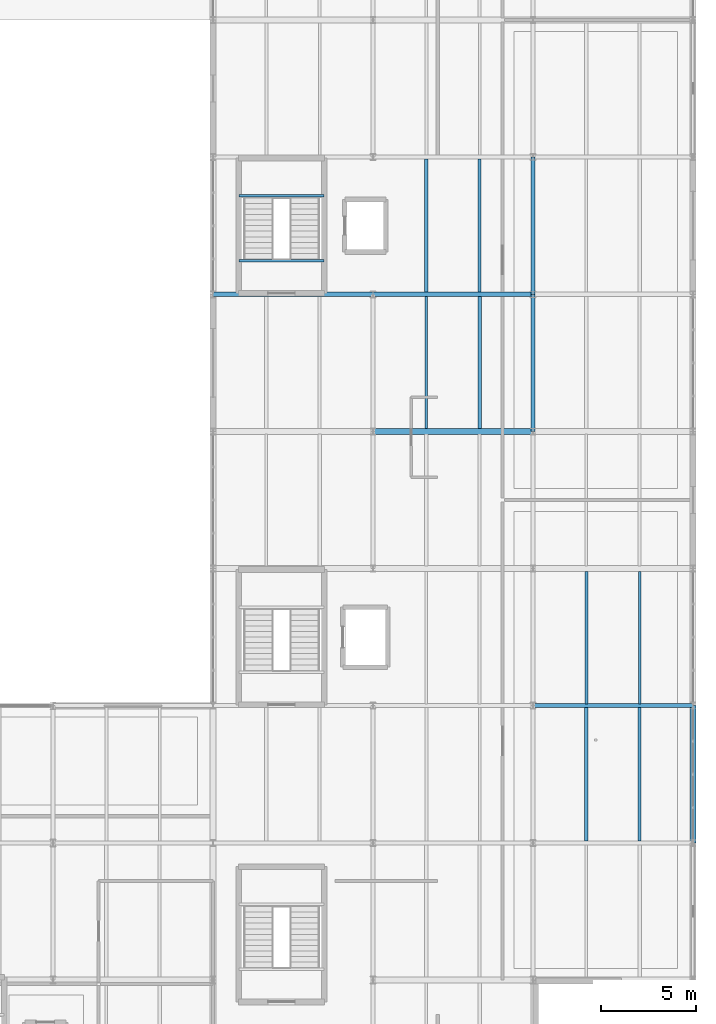
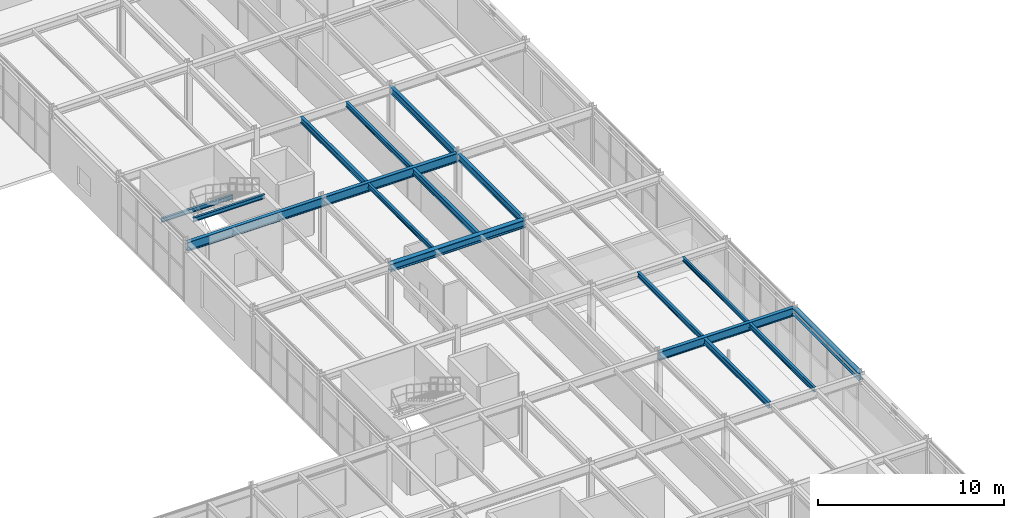
# One storey, part 38 of 73: 17 beams.
"""IFC4 building model written with IfcOpenShell, lengths in metres."""

import ifcopenshell
import ifcopenshell.guid

model = None  # the IFC model being written
_history = None  # IfcOwnerHistory: only IFC2X3 demands one
_inside = {}  # id of a spatial element -> (the spatial element, [elements in it])
_under = {}  # id of a project, library or spatial element -> (it, [spatial elements below it])
_declared = {}  # id of a project -> (the project, [libraries it declares])
_typed = {}  # id of a type object -> (the type object, [elements of that type])
_made_of = {}  # id of a material, layer set ... -> (it, [elements and type objects made of it])


def new_model(schema):
    """Start an empty IFC model of exactly this schema.

    Asked for "IFC4X3", IfcOpenShell would pick the latest addendum, in which some entities
    have other attributes; the version numbers below select the first issue.
    IFC2X3 requires an IfcOwnerHistory on every rooted entity: one is made here for all.
    """
    global model, _history
    if schema == "IFC4X3":
        model = ifcopenshell.file(schema_version=(4, 3, 0, 0))
    else:
        model = ifcopenshell.file(schema=schema)
    _inside.clear()
    _under.clear()
    _declared.clear()
    _typed.clear()
    _made_of.clear()
    _history = None
    if model.schema == "IFC2X3":
        org = make("IfcOrganization", Name="unknown")
        user = make(
            "IfcPersonAndOrganization",
            ThePerson=make("IfcPerson", FamilyName="unknown"),
            TheOrganization=org,
        )
        app = make(
            "IfcApplication",
            ApplicationDeveloper=org,
            Version="unknown",
            ApplicationFullName="unknown",
            ApplicationIdentifier="unknown",
        )
        _history = make(
            "IfcOwnerHistory",
            OwningUser=user,
            OwningApplication=app,
            ChangeAction="ADDED",
            CreationDate=0,
        )
    return model


def make(cls, **values):
    """One entity of the class cls with the attributes given. An attribute that is None is left unset."""
    return model.create_entity(
        cls, **{name: value for name, value in values.items() if value is not None}
    )


def rooted(cls, **values):
    """An entity with a GlobalId (a new one), such as an element, a storey or a relation."""
    return make(cls, GlobalId=ifcopenshell.guid.new(), OwnerHistory=_history, **values)


def si_unit(unit_type, name, prefix=None):
    """IfcSIUnit, for example si_unit("LENGTHUNIT", "METRE", prefix="MILLI")."""
    return make("IfcSIUnit", UnitType=unit_type, Prefix=prefix, Name=name)


def derived_unit(unit_type, elements):
    """IfcDerivedUnit: a product of units, each with its exponent."""
    return make(
        "IfcDerivedUnit",
        Elements=[
            make("IfcDerivedUnitElement", Unit=unit, Exponent=power)
            for unit, power in elements
        ],
        UnitType=unit_type,
    )


def assignment(units):
    """IfcUnitAssignment: the units of a project."""
    return None if units is None else make("IfcUnitAssignment", Units=units)


def point(xyz):
    """IfcCartesianPoint."""
    return None if xyz is None else make("IfcCartesianPoint", Coordinates=xyz)


def direction(xyz):
    """IfcDirection."""
    return None if xyz is None else make("IfcDirection", DirectionRatios=xyz)


def frame(location, z_axis=None, x_axis=None):
    """IfcAxis2Placement3D, a coordinate frame: its origin and axes. An axis left out is left unset."""
    return make(
        "IfcAxis2Placement3D",
        Location=point(location),
        Axis=direction(z_axis),
        RefDirection=direction(x_axis),
    )


def frame_2d(location, x_axis=None):
    """IfcAxis2Placement2D, a coordinate frame in the plane: its origin and x axis."""
    return make(
        "IfcAxis2Placement2D", Location=point(location), RefDirection=direction(x_axis)
    )


def origin():
    """The frame at (0, 0, 0) with its axes left unset."""
    return frame((0.0, 0.0, 0.0))


def origin_2d():
    """The frame at (0, 0) in the plane with its x axis left unset."""
    return frame_2d((0.0, 0.0))


def place(relative_to, where):
    """IfcLocalPlacement: puts the frame where relative to a parent placement (None: the world)."""
    return make(
        "IfcLocalPlacement", PlacementRelTo=relative_to, RelativePlacement=where
    )


def context(
    kind, dimensions, precision=None, world=None, true_north=None, identifier=None
):
    """IfcGeometricRepresentationContext, for example the 3D "Model" context."""
    return make(
        "IfcGeometricRepresentationContext",
        ContextIdentifier=identifier,
        ContextType=kind,
        CoordinateSpaceDimension=dimensions,
        Precision=precision,
        WorldCoordinateSystem=world,
        TrueNorth=true_north,
    )


def subcontext(parent, identifier, kind, view, scale=None):
    """IfcGeometricRepresentationSubContext, for example "Body" below "Model"."""
    return make(
        "IfcGeometricRepresentationSubContext",
        ContextIdentifier=identifier,
        ContextType=kind,
        ParentContext=parent,
        TargetScale=scale,
        TargetView=view,
    )


def project(units=None, contexts=None):
    """IfcProject with its units and contexts."""
    return rooted(
        "IfcProject",
        Name="project",
        RepresentationContexts=contexts,
        UnitsInContext=assignment(units),
    )


def spatial(cls, under=None, at=None, **own):
    """A site, building, storey or space (cls), placed at a placement, below another one or the project."""
    s = rooted(cls, ObjectPlacement=at, **own)
    if under is not None:
        _under.setdefault(under.id(), (under, []))[1].append(s)
    return s


def profile(cls, at=None, kind="AREA", **sizes):
    """A parametric profile (cls). Its sizes go by their IFC names, for example OverallWidth=200.0."""
    return make(cls, ProfileType=kind, Position=at, **sizes)


def i_section(**sizes):
    """IfcIShapeProfileDef."""
    return profile("IfcIShapeProfileDef", **sizes)


def extrude(swept, where, along, depth):
    """IfcExtrudedAreaSolid: the profile swept, set in the frame where, extruded along a direction by depth."""
    return make(
        "IfcExtrudedAreaSolid",
        SweptArea=swept,
        Position=where,
        ExtrudedDirection=direction(along),
        Depth=depth,
    )


def shape(context_of_items, identifier, shape_type, items):
    """IfcShapeRepresentation: the items that make up one representation, for example the "Body"."""
    return make(
        "IfcShapeRepresentation",
        ContextOfItems=context_of_items,
        RepresentationIdentifier=identifier,
        RepresentationType=shape_type,
        Items=items,
    )


def material(Name=None, Category=None):
    """IfcMaterial."""
    return make("IfcMaterial", Name=Name, Category=Category)


def material_profile(
    of_material, cross_section, Name=None, Category=None, Priority=None
):
    """IfcMaterialProfile: a cross section and its material."""
    return make(
        "IfcMaterialProfile",
        Name=Name,
        Material=of_material,
        Profile=cross_section,
        Priority=Priority,
        Category=Category,
    )


def profile_set(profiles, Name=None, composite=None):
    """IfcMaterialProfileSet."""
    return make(
        "IfcMaterialProfileSet",
        Name=Name,
        MaterialProfiles=profiles,
        CompositeProfile=composite,
    )


def made_of(thing, what):
    """Note that an element or type object is made of a material, layer set ...; save() writes the relation."""
    if what is not None:
        _made_of.setdefault(what.id(), (what, []))[1].append(thing)
    return thing


def type_object(cls, material=None, **own):
    """A type object (cls), such as IfcWallType, which elements share."""
    return made_of(rooted(cls, **own), material)


def element(
    cls,
    number,
    at=None,
    inside=None,
    cuts=None,
    type_object=None,
    material=None,
    context=None,
    identifier="Body",
    shape_type=None,
    held_by="IfcProductDefinitionShape",
    body=None,
    shapes=None,
    **own,
):
    """One element of the class cls, such as IfcWall. Its Tag is "e" and its number.

    at: its placement. inside: the storey or other place that contains it. cuts: it is an
    opening in that element (IfcRelVoidsElement). A single representation is given by context,
    identifier, shape_type and body (its items); several are given by shapes. held_by: the class
    of the entity that holds the representations. save() writes the other relations.
    """
    e = rooted(cls, Tag="e%d" % number, ObjectPlacement=at, **own)
    if body is not None:
        shapes = [shape(context, identifier, shape_type, body)]
    if shapes is not None:
        e.Representation = make(held_by, Representations=shapes)
    if inside is not None:
        _inside.setdefault(inside.id(), (inside, []))[1].append(e)
    if cuts is not None:
        rooted(
            "IfcRelVoidsElement", RelatingBuildingElement=cuts, RelatedOpeningElement=e
        )
    if type_object is not None:
        _typed.setdefault(type_object.id(), (type_object, []))[1].append(e)
    return made_of(e, material)


def aggregate(whole, parts):
    """IfcRelAggregates: a whole, such as a stair, and the parts it consists of."""
    return rooted("IfcRelAggregates", RelatingObject=whole, RelatedObjects=parts)


def save(model, path):
    """Write the relations noted so far, then the file.

    IfcRelAggregates (storeys below a building ...), IfcRelContainedInSpatialStructure (elements
    in a storey), IfcRelDefinesByType, IfcRelAssociatesMaterial and IfcRelDeclares: one each for
    every whole, place, type object, material and project.
    """
    for whole, parts in _under.values():
        aggregate(whole, parts)
    for where, things in _inside.values():
        rooted(
            "IfcRelContainedInSpatialStructure",
            RelatedElements=things,
            RelatingStructure=where,
        )
    for kind, things in _typed.values():
        rooted("IfcRelDefinesByType", RelatedObjects=things, RelatingType=kind)
    for what, things in _made_of.values():
        rooted("IfcRelAssociatesMaterial", RelatedObjects=things, RelatingMaterial=what)
    for by, libraries in _declared.values():
        rooted("IfcRelDeclares", RelatingContext=by, RelatedDefinitions=libraries)
    model.write(path)


model = new_model("IFC4")

# Units and contexts
model_context = context("Model", 3, precision=1e-05, world=origin(), true_north=direction((0.0, 1.0)))
body_context = subcontext(model_context, "Body", "Model", "MODEL_VIEW")
ifc_project = project(units=[si_unit("LENGTHUNIT", "METRE"), si_unit("AREAUNIT", "SQUARE_METRE"), si_unit("VOLUMEUNIT", "CUBIC_METRE"), si_unit("PLANEANGLEUNIT", "RADIAN"), si_unit("MASSUNIT", "GRAM", prefix="KILO"), derived_unit("THERMALTRANSMITTANCEUNIT", [(si_unit("MASSUNIT", "GRAM", prefix="KILO"), 1), (si_unit("TIMEUNIT", "SECOND"), -3), (si_unit("THERMODYNAMICTEMPERATUREUNIT", "KELVIN"), -1)])], contexts=[model_context])

# Site, building, storey
site_placement = place(None, origin())
site = spatial("IfcSite", under=ifc_project, at=site_placement, CompositionType="ELEMENT")
building_placement = place(site_placement, origin())
building = spatial("IfcBuilding", under=site, at=building_placement, Name="Kharveza Railside Sports Centre", CompositionType="ELEMENT")
storey_placement = place(building_placement, frame((0.0, 0.0, 8.699951171875)))
storey = spatial("IfcBuildingStorey", under=building, at=storey_placement, Name="L02", CompositionType="ELEMENT", Elevation=8.699951171875)

# Beams
ifc_material = material(Name="Steel S355J2", Category="steel")
ifc_material_profile_1 = material_profile(ifc_material, i_section(OverallWidth=0.219970703125, OverallDepth=0.60009765625, WebThickness=0.011962890625, FlangeThickness=0.01904296875, FilletRadius=0.02392578125, at=origin_2d()), Name="IPE 600")
ifc_profile_set_1 = profile_set([ifc_material_profile_1], Name="Steel S355J2")
beam_type_1 = type_object("IfcBeamType", Name="BM-G01", PredefinedType="T_BEAM", material=ifc_profile_set_1)
beam_1_placement = place(storey_placement, frame((142.800048828125, 57.60009765625, 3.699951171875), z_axis=(1.0, 0.0, 0.0), x_axis=(0.0, 1.0, 0.0)))
element("IfcBeam", 1, at=beam_1_placement, inside=storey, type_object=beam_type_1, Name="BM-EW-L02-B01-X1428-Y576", PredefinedType="T_BEAM", context=body_context, shape_type="SweptSolid", body=[
    extrude(i_section(OverallWidth=0.219970703125, OverallDepth=0.60009765625, WebThickness=0.011962890625, FlangeThickness=0.01904296875, FilletRadius=0.02392578125, at=origin_2d()), origin(), (0.0, 0.0, 1.0), 8.39990234375),
])
beam_2_placement = place(storey_placement, frame((151.199951171875, 57.60009765625, 3.699951171875), z_axis=(1.0, 0.0, 0.0), x_axis=(0.0, 1.0, 0.0)))
element("IfcBeam", 2, at=beam_2_placement, inside=storey, type_object=beam_type_1, Name="BM-EW-L02-B01-X1512-Y576", PredefinedType="T_BEAM", context=body_context, shape_type="SweptSolid", body=[
    extrude(i_section(OverallWidth=0.219970703125, OverallDepth=0.60009765625, WebThickness=0.011962890625, FlangeThickness=0.01904296875, FilletRadius=0.02392578125, at=origin_2d()), origin(), (0.0, 0.0, 1.0), 8.400146484375),
])
ifc_material_profile_2 = material_profile(ifc_material, i_section(OverallWidth=0.2099609375, OverallDepth=0.550048828125, WebThickness=0.010986328125, FlangeThickness=0.01708984375, FilletRadius=0.02392578125, at=origin_2d()), Name="IPE 550")
ifc_profile_set_2 = profile_set([ifc_material_profile_2], Name="Steel S355J2")
beam_type_2 = type_object("IfcBeamType", Name="BM-G02", PredefinedType="T_BEAM", material=ifc_profile_set_2)
beam_3_placement = place(storey_placement, frame((159.60009765625, 36.0, 3.72509765625), z_axis=(1.0, 0.0, 0.0), x_axis=(0.0, 1.0, 0.0)))
element("IfcBeam", 3, at=beam_3_placement, inside=storey, type_object=beam_type_2, Name="BM-EW-L02-B02-X1596-Y360", PredefinedType="T_BEAM", context=body_context, shape_type="SweptSolid", body=[
    extrude(i_section(OverallWidth=0.2099609375, OverallDepth=0.550048828125, WebThickness=0.010986328125, FlangeThickness=0.01708984375, FilletRadius=0.02392578125, at=origin_2d()), origin(), (0.0, 0.0, 1.0), 8.39990234375),
])
ifc_material_profile_3 = material_profile(ifc_material, i_section(OverallWidth=0.18994140625, OverallDepth=0.449951171875, WebThickness=0.009521484375, FlangeThickness=0.0146484375, FilletRadius=0.02099609375, at=origin_2d()), Name="IPE 450")
ifc_profile_set_3 = profile_set([ifc_material_profile_3], Name="Steel S355J2")
beam_type_3 = type_object("IfcBeamType", Name="BM-G04", PredefinedType="T_BEAM", material=ifc_profile_set_3)
beam_4_placement = place(storey_placement, frame((159.60009765625, 50.39990234375, 3.775146484375), z_axis=(0.0, 1.0, 0.0), x_axis=(-1.0, 0.0, 0.0)))
element("IfcBeam", 4, at=beam_4_placement, inside=storey, type_object=beam_type_3, Name="BM-NS-L02-B04-X1596-Y504", PredefinedType="T_BEAM", context=body_context, shape_type="SweptSolid", body=[
    extrude(i_section(OverallWidth=0.18994140625, OverallDepth=0.449951171875, WebThickness=0.009521484375, FlangeThickness=0.0146484375, FilletRadius=0.02099609375, at=origin_2d()), origin(), (0.0, 0.0, 1.0), 7.2001953125),
])
beam_5_placement = place(storey_placement, frame((159.60009765625, 57.60009765625, 3.775146484375), z_axis=(0.0, 1.0, 0.0), x_axis=(-1.0, 0.0, 0.0)))
element("IfcBeam", 5, at=beam_5_placement, inside=storey, type_object=beam_type_3, Name="BM-NS-L02-B04-X1596-Y576", PredefinedType="T_BEAM", context=body_context, shape_type="SweptSolid", body=[
    extrude(i_section(OverallWidth=0.18994140625, OverallDepth=0.449951171875, WebThickness=0.009521484375, FlangeThickness=0.0146484375, FilletRadius=0.02099609375, at=origin_2d()), origin(), (0.0, 0.0, 1.0), 7.199951171875),
])
ifc_material_profile_4 = material_profile(ifc_material, i_section(OverallWidth=0.300048828125, OverallDepth=0.5, WebThickness=0.014404296875, FlangeThickness=0.028076171875, FilletRadius=0.027099609375, at=origin_2d()), Name="HEB 500")
ifc_profile_set_4 = profile_set([ifc_material_profile_4], Name="Steel S355J2")
beam_type_4 = type_object("IfcBeamType", Name="BM-G05", PredefinedType="T_BEAM", material=ifc_profile_set_4)
beam_6_placement = place(storey_placement, frame((151.199951171875, 50.39990234375, 3.75), z_axis=(1.0, 0.0, 0.0), x_axis=(0.0, 1.0, 0.0)))
element("IfcBeam", 6, at=beam_6_placement, inside=storey, type_object=beam_type_4, Name="BM-EW-L02-B05-X1512-Y504", PredefinedType="T_BEAM", context=body_context, shape_type="SweptSolid", body=[
    extrude(i_section(OverallWidth=0.300048828125, OverallDepth=0.5, WebThickness=0.014404296875, FlangeThickness=0.028076171875, FilletRadius=0.027099609375, at=origin_2d()), origin(), (0.0, 0.0, 1.0), 8.400146484375),
])
ifc_material_profile_5 = material_profile(ifc_material, i_section(OverallWidth=0.179931640625, OverallDepth=0.39990234375, WebThickness=0.008544921875, FlangeThickness=0.013427734375, FilletRadius=0.02099609375, at=origin_2d()), Name="IPE 400")
ifc_profile_set_5 = profile_set([ifc_material_profile_5], Name="Steel S355J2")
beam_type_5 = type_object("IfcBeamType", Name="BM-S01", PredefinedType="BEAM", material=ifc_profile_set_5)
beam_7_placement = place(storey_placement, frame((156.800048828125, 50.547119140625, 3.800048828125), z_axis=(0.0, 1.0, 0.0), x_axis=(-1.0, 0.0, 0.0)))
element("IfcBeam", 7, at=beam_7_placement, inside=storey, type_object=beam_type_5, Name="BM-SEC-L02-B09-X1568-Y504", PredefinedType="BEAM", context=body_context, shape_type="SweptSolid", body=[
    extrude(i_section(OverallWidth=0.179931640625, OverallDepth=0.39990234375, WebThickness=0.008544921875, FlangeThickness=0.013427734375, FilletRadius=0.02099609375, at=origin_2d()), origin(), (0.0, 0.0, 1.0), 6.94580078125),
])
for number, where, z_axis, x_axis, name in (
    (8, (154.0, 57.70703125, 3.800048828125), (0.0, 1.0, 0.0), (-1.0, 0.0, 0.0), "BM-SEC-L02-B09-X1540-Y576"),
    (9, (162.39990234375, 28.906982421875, 3.800048828125), (0.0, 1.0, 0.0), (-1.0, 0.0, 0.0), "BM-SEC-L02-B09-X1624-Y288"),
):
    element("IfcBeam", number, at=place(storey_placement, frame(where, z_axis=z_axis, x_axis=x_axis)), inside=storey, type_object=beam_type_5, Name=name, PredefinedType="BEAM", context=body_context, shape_type="SweptSolid", body=[
        extrude(i_section(OverallWidth=0.179931640625, OverallDepth=0.39990234375, WebThickness=0.008544921875, FlangeThickness=0.013427734375, FilletRadius=0.02099609375, at=origin_2d()), origin(), (0.0, 0.0, 1.0), 6.990966796875),
    ])
ifc_material_profile_6 = material_profile(ifc_material, i_section(OverallWidth=0.159912109375, OverallDepth=0.330078125, WebThickness=0.007568359375, FlangeThickness=0.011474609375, FilletRadius=0.01806640625, at=origin_2d()), Name="IPE 330")
ifc_profile_set_6 = profile_set([ifc_material_profile_6], Name="Steel S355J2")
beam_type_6 = type_object("IfcBeamType", Name="BM-S03", PredefinedType="BEAM", material=ifc_profile_set_6)
for number, where, z_axis, x_axis, name in (
    (10, (156.800048828125, 57.70703125, 3.8349609375), (0.0, 1.0, 0.0), (-1.0, 0.0, 0.0), "BM-SEC-L02-B11-X1568-Y576"),
    (11, (165.199951171875, 28.906982421875, 3.8349609375), (0.0, 1.0, 0.0), (-1.0, 0.0, 0.0), "BM-SEC-L02-B11-X1652-Y288"),
):
    element("IfcBeam", number, at=place(storey_placement, frame(where, z_axis=z_axis, x_axis=x_axis)), inside=storey, type_object=beam_type_6, Name=name, PredefinedType="BEAM", context=body_context, shape_type="SweptSolid", body=[
        extrude(i_section(OverallWidth=0.159912109375, OverallDepth=0.330078125, WebThickness=0.007568359375, FlangeThickness=0.011474609375, FilletRadius=0.01806640625, at=origin_2d()), origin(), (0.0, 0.0, 1.0), 6.990966796875),
    ])
beam_8_placement = place(storey_placement, frame((162.39990234375, 36.10205078125, 3.8349609375), z_axis=(0.0, 1.0, 0.0), x_axis=(-1.0, 0.0, 0.0)))
element("IfcBeam", 12, at=beam_8_placement, inside=storey, type_object=beam_type_6, Name="BM-SEC-L02-B11-X1624-Y360", PredefinedType="BEAM", context=body_context, shape_type="SweptSolid", body=[
    extrude(i_section(OverallWidth=0.159912109375, OverallDepth=0.330078125, WebThickness=0.007568359375, FlangeThickness=0.011474609375, FilletRadius=0.01806640625, at=origin_2d()), origin(), (0.0, 0.0, 1.0), 6.950927734375),
])
ifc_material_profile_7 = material_profile(ifc_material, i_section(OverallWidth=0.14990234375, OverallDepth=0.300048828125, WebThickness=0.007080078125, FlangeThickness=0.0107421875, FilletRadius=0.014892578125, at=origin_2d()), Name="IPE 300")
ifc_profile_set_7 = profile_set([ifc_material_profile_7], Name="Steel S355J2")
beam_type_7 = type_object("IfcBeamType", Name="BM-S04", PredefinedType="BEAM", material=ifc_profile_set_7)
beam_9_placement = place(storey_placement, frame((154.0, 50.547119140625, 3.85009765625), z_axis=(0.0, 1.0, 0.0), x_axis=(-1.0, 0.0, 0.0)))
element("IfcBeam", 13, at=beam_9_placement, inside=storey, type_object=beam_type_7, Name="BM-SEC-L02-B12-X1540-Y504", PredefinedType="BEAM", context=body_context, shape_type="SweptSolid", body=[
    extrude(i_section(OverallWidth=0.14990234375, OverallDepth=0.300048828125, WebThickness=0.007080078125, FlangeThickness=0.0107421875, FilletRadius=0.014892578125, at=origin_2d()), origin(), (0.0, 0.0, 1.0), 6.94580078125),
])
ifc_material_profile_8 = material_profile(ifc_material, i_section(OverallWidth=0.135009765625, OverallDepth=0.27001953125, WebThickness=0.006591796875, FlangeThickness=0.01025390625, FilletRadius=0.014892578125, at=origin_2d()), Name="IPE 270")
ifc_profile_set_8 = profile_set([ifc_material_profile_8], Name="Steel S355J2")
beam_type_8 = type_object("IfcBeamType", Name="BM-S05", PredefinedType="BEAM", material=ifc_profile_set_8)
beam_10_placement = place(storey_placement, frame((165.199951171875, 36.10205078125, 3.864990234375), z_axis=(0.0, 1.0, 0.0), x_axis=(-1.0, 0.0, 0.0)))
element("IfcBeam", 14, at=beam_10_placement, inside=storey, type_object=beam_type_8, Name="BM-SEC-L02-B13-X1652-Y360", PredefinedType="BEAM", context=body_context, shape_type="SweptSolid", body=[
    extrude(i_section(OverallWidth=0.135009765625, OverallDepth=0.27001953125, WebThickness=0.006591796875, FlangeThickness=0.01025390625, FilletRadius=0.014892578125, at=origin_2d()), origin(), (0.0, 0.0, 1.0), 6.950927734375),
])
for number, where, z_axis, x_axis, name in (
    (15, (144.179931640625, 62.77001953125, 1.780029296875), (1.0, 0.0, 0.0), (0.0, 1.0, 0.0), "BM-HLND-ST2-L02"),
    (16, (144.179931640625, 59.360107421875, 3.880126953125), (1.0, 0.0, 0.0), (0.0, 1.0, 0.0), "BM-STLND-ST2-L03"),
):
    element("IfcBeam", number, at=place(storey_placement, frame(where, z_axis=z_axis, x_axis=x_axis)), inside=storey, type_object=beam_type_8, Name=name, PredefinedType="BEAM", context=body_context, shape_type="SweptSolid", body=[
        extrude(i_section(OverallWidth=0.135009765625, OverallDepth=0.27001953125, WebThickness=0.006591796875, FlangeThickness=0.01025390625, FilletRadius=0.014892578125, at=origin_2d()), origin(), (0.0, 0.0, 1.0), 4.440185546875),
    ])
ifc_material_profile_9 = material_profile(ifc_material, i_section(OverallWidth=0.300048828125, OverallDepth=0.43994140625, WebThickness=0.011474609375, FlangeThickness=0.02099609375, FilletRadius=0.027099609375, at=origin_2d()), Name="HEA 450")
ifc_profile_set_9 = profile_set([ifc_material_profile_9], Name="Steel S355J2")
beam_type_9 = type_object("IfcBeamType", Name="BM-SP01", PredefinedType="SPANDREL", material=ifc_profile_set_9)
beam_11_placement = place(storey_placement, frame((168.0, 28.800048828125, 3.780029296875), z_axis=(0.0, 1.0, 0.0), x_axis=(-1.0, 0.0, 0.0)))
element("IfcBeam", 17, at=beam_11_placement, inside=storey, type_object=beam_type_9, Name="BM-NS-L02-B15-X1680-Y288", PredefinedType="SPANDREL", context=body_context, shape_type="SweptSolid", body=[
    extrude(i_section(OverallWidth=0.300048828125, OverallDepth=0.43994140625, WebThickness=0.011474609375, FlangeThickness=0.02099609375, FilletRadius=0.027099609375, at=origin_2d()), origin(), (0.0, 0.0, 1.0), 7.199951171875),
])

save(model, "model.ifc")
